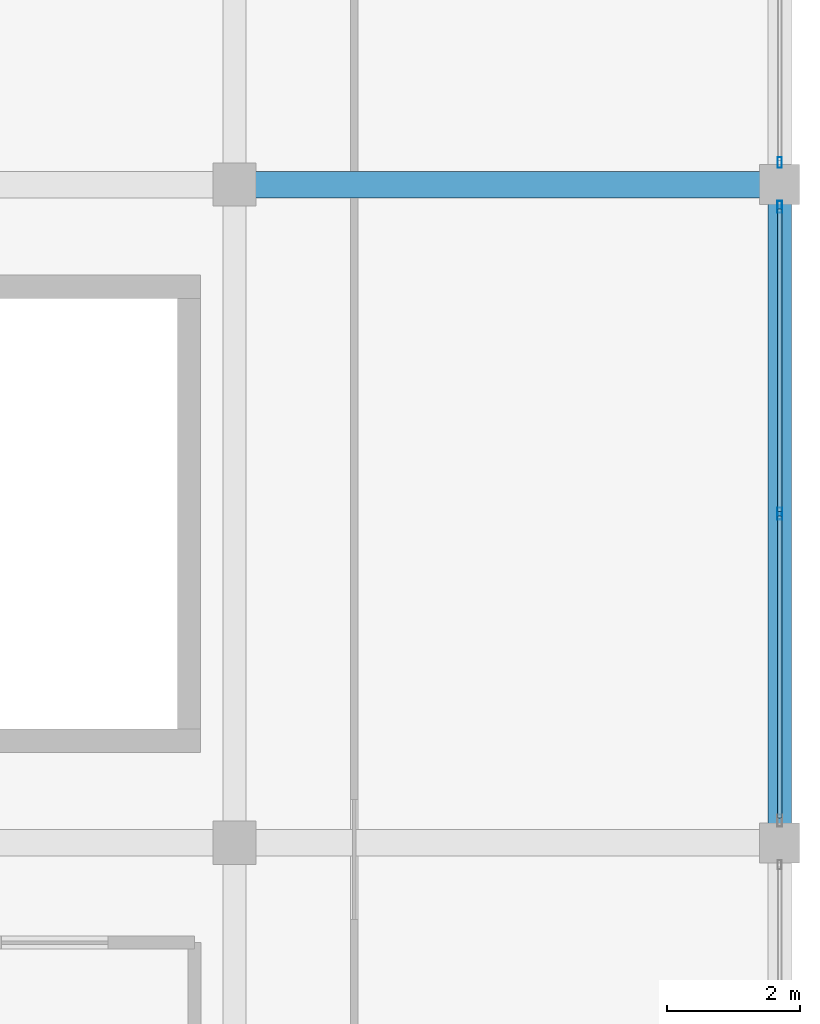
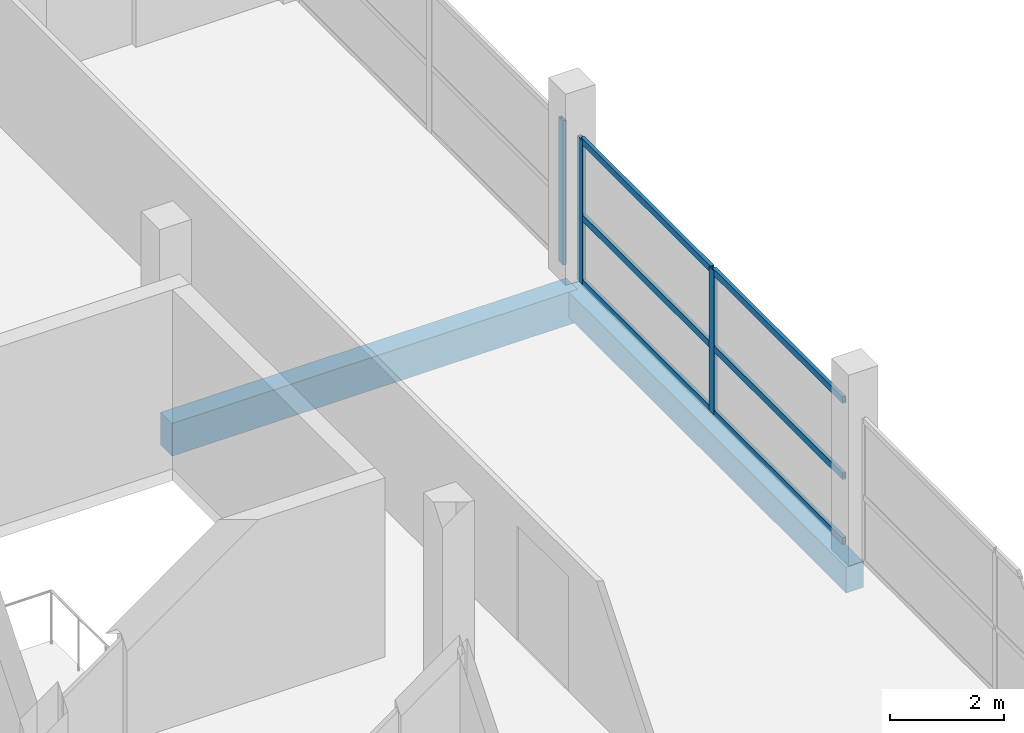
# One storey, part 32 of 53: 9 members, 2 beams, 2 elements without a shape of their own.
"""IFC4 building model written with IfcOpenShell, lengths in metres."""

from ifc_helpers import new_model, si_unit, direction, frame, origin, origin_2d, place, context, subcontext, project, spatial, rectangle, hollow_rectangle, extrude, material, layer, layer_set, material_profile, profile_set, type_object, element, aggregate, save


model = new_model("IFC4")

# Units and contexts
model_context = context("Model", 3, precision=1e-05, world=origin(), true_north=direction((0.0, 1.0)))
body_context = subcontext(model_context, "Body", "Model", "MODEL_VIEW")
ifc_project = project(units=[si_unit("LENGTHUNIT", "METRE"), si_unit("AREAUNIT", "SQUARE_METRE"), si_unit("VOLUMEUNIT", "CUBIC_METRE"), si_unit("PLANEANGLEUNIT", "RADIAN"), si_unit("MASSUNIT", "GRAM", prefix="KILO")], contexts=[model_context])

# Site, building, storey
site_placement = place(None, origin())
site = spatial("IfcSite", under=ifc_project, at=site_placement, CompositionType="ELEMENT")
building_placement = place(site_placement, origin())
building = spatial("IfcBuilding", under=site, at=building_placement, Name="Sillaruma Civic Art Gallery", CompositionType="ELEMENT")
storey_placement = place(building_placement, frame((0.0, 0.0, 70.3798828125)))
storey = spatial("IfcBuildingStorey", under=building, at=storey_placement, Name="L14", CompositionType="ELEMENT", Elevation=70.3798828125)

# Beams
ifc_material_1 = material(Name="Concrete H35 (35 MPa)", Category="concrete")
ifc_material_profile_1 = material_profile(ifc_material_1, rectangle(XDim=0.39990234375, YDim=0.699951171875, at=origin_2d()), Name="RCB400x700")
ifc_profile_set_1 = profile_set([ifc_material_profile_1], Name="Concrete H35 (35 MPa)")
beam_type_1 = type_object("IfcBeamType", Name="BM-BEAM-RCB400x700", PredefinedType="BEAM", material=ifc_profile_set_1)
beam_1_placement = place(storey_placement, frame((106.199951171875, 59.39990234375, -0.599853515625), z_axis=(1.0, 0.0, 0.0), x_axis=(0.0, 1.0, 0.0)))
element("IfcBeam", 1, at=beam_1_placement, inside=storey, type_object=beam_type_1, Name="Beam BM-04 (L13:7:M-N)", PredefinedType="BEAM", context=body_context, shape_type="SweptSolid", body=[
    extrude(rectangle(XDim=0.39990234375, YDim=0.699951171875, at=origin_2d()), origin(), (0.0, 0.0, 1.0), 8.199951171875),
])
ifc_material_profile_2 = material_profile(ifc_material_1, rectangle(XDim=0.35009765625, YDim=0.550048828125, at=origin_2d()), Name="RCB350x550")
ifc_profile_set_2 = profile_set([ifc_material_profile_2], Name="Concrete H35 (35 MPa)")
beam_type_2 = type_object("IfcBeamType", Name="BM-SPANDREL-RCB350x550", PredefinedType="SPANDREL", material=ifc_profile_set_2)
beam_2_placement = place(storey_placement, frame((114.39990234375, 49.5, -0.52490234375), z_axis=(0.0, 1.0, 0.0), x_axis=(-1.0, 0.0, 0.0)))
element("IfcBeam", 2, at=beam_2_placement, inside=storey, type_object=beam_type_2, Name="Beam BS-04 (L13:N:6-7)", PredefinedType="SPANDREL", context=body_context, shape_type="SweptSolid", body=[
    extrude(rectangle(XDim=0.35009765625, YDim=0.550048828125, at=origin_2d()), origin(), (0.0, 0.0, 1.0), 9.89990234375),
])

# Curtain wall, member
ifc_material_2 = material(Name="Thermally Broken Extruded Aluminium 6063-T6", Category="aluminium")
ifc_layer_1 = layer(ifc_material_2, 0.159912109375, Name="Thermally Broken Extruded Aluminium 6063-T6")
ifc_layer_set_1 = layer_set([ifc_layer_1], Name="Thermally Broken Extruded Aluminium 6063-T6")
curtain_wall_type_1 = type_object("IfcCurtainWallType", Name="CW-UNI-102", PredefinedType="NOTDEFINED", material=ifc_layer_set_1)
curtain_wall_1_placement = place(storey_placement, origin())
curtain_wall_1 = element("IfcCurtainWall", 3, at=curtain_wall_1_placement, inside=storey, type_object=curtain_wall_type_1, Name="Unitised Curtain Wall CW-102 (CW-L14-EHH-E3)", PredefinedType="NOTDEFINED")
ifc_material_profile_3 = material_profile(ifc_material_2, hollow_rectangle(XDim=0.06494140625, YDim=0.159912109375, WallThickness=0.00390625, at=origin_2d()), Name="CWM65x160")
ifc_profile_set_3 = profile_set([ifc_material_profile_3], Name="Thermally Broken Extruded Aluminium 6063-T6")
member_type_1 = type_object("IfcMemberType", Name="MEM-MUL-CWM65x160", PredefinedType="MULLION", material=ifc_profile_set_3)
member_1_placement = place(storey_placement, frame((114.39990234375, 59.732421875, 0.0), z_axis=(0.0, 0.0, 1.0), x_axis=(-1.0, 0.0, 0.0)))
member_1 = element("IfcMember", 4, at=member_1_placement, type_object=member_type_1, Name="CW-102 mullion 1", PredefinedType="MULLION", context=body_context, shape_type="SweptSolid", body=[
    extrude(hollow_rectangle(XDim=0.06494140625, YDim=0.159912109375, WallThickness=0.00390625, at=origin_2d()), origin(), (0.0, 0.0, 1.0), 3.080078125),
])
aggregate(curtain_wall_1, [member_1])

# Curtain wall, members
ifc_layer_2 = layer(ifc_material_2, 0.179931640625, Name="Thermally Broken Extruded Aluminium 6063-T6")
ifc_layer_set_2 = layer_set([ifc_layer_2], Name="Thermally Broken Extruded Aluminium 6063-T6")
curtain_wall_type_2 = type_object("IfcCurtainWallType", Name="CW-UNI-101", PredefinedType="NOTDEFINED", material=ifc_layer_set_2)
curtain_wall_2_placement = place(storey_placement, origin())
curtain_wall_2 = element("IfcCurtainWall", 5, at=curtain_wall_2_placement, inside=storey, type_object=curtain_wall_type_2, Name="Unitised Curtain Wall CW-101 (CW-L14-EHH-E2)", PredefinedType="NOTDEFINED")
ifc_material_profile_4 = material_profile(ifc_material_2, hollow_rectangle(XDim=0.070068359375, YDim=0.179931640625, WallThickness=0.00390625, at=origin_2d()), Name="CWM70x180")
ifc_profile_set_4 = profile_set([ifc_material_profile_4], Name="Thermally Broken Extruded Aluminium 6063-T6")
member_type_2 = type_object("IfcMemberType", Name="MEM-MUL-CWM70x180", PredefinedType="MULLION", material=ifc_profile_set_4)
member_2_placement = place(storey_placement, frame((114.39990234375, 54.449951171875, 0.0), z_axis=(0.0, 0.0, 1.0), x_axis=(-1.0, 0.0, 0.0)))
member_2 = element("IfcMember", 6, at=member_2_placement, type_object=member_type_2, Name="CW-101 mullion 2", PredefinedType="MULLION", context=body_context, shape_type="SweptSolid", body=[
    extrude(hollow_rectangle(XDim=0.070068359375, YDim=0.179931640625, WallThickness=0.00390625, at=origin_2d()), origin(), (0.0, 0.0, 1.0), 3.080078125),
])
member_3_placement = place(storey_placement, frame((114.39990234375, 59.06494140625, 0.0), z_axis=(0.0, 0.0, 1.0), x_axis=(-1.0, 0.0, 0.0)))
member_3 = element("IfcMember", 7, at=member_3_placement, type_object=member_type_2, Name="CW-101 mullion 3", PredefinedType="MULLION", context=body_context, shape_type="SweptSolid", body=[
    extrude(hollow_rectangle(XDim=0.070068359375, YDim=0.179931640625, WallThickness=0.00390625, at=origin_2d()), origin(), (0.0, 0.0, 1.0), 3.080078125),
])
ifc_material_profile_5 = material_profile(ifc_material_2, hollow_rectangle(XDim=0.070068359375, YDim=0.139892578125, WallThickness=0.00390625, at=origin_2d()), Name="CWT70x140")
ifc_profile_set_5 = profile_set([ifc_material_profile_5], Name="Thermally Broken Extruded Aluminium 6063-T6")
member_type_3 = type_object("IfcMemberType", Name="MEM-TRN-CWT70x140", PredefinedType="USERDEFINED", material=ifc_profile_set_5)
member_4_placement = place(storey_placement, frame((114.39990234375, 49.8701171875, 0.03515625), z_axis=(0.0, 1.0, 0.0), x_axis=(-1.0, 0.0, 0.0)))
member_4 = element("IfcMember", 8, at=member_4_placement, type_object=member_type_3, Name="CW-101 transom 1.1", ObjectType="TRANSOM", PredefinedType="USERDEFINED", context=body_context, shape_type="SweptSolid", body=[
    extrude(hollow_rectangle(XDim=0.070068359375, YDim=0.139892578125, WallThickness=0.00390625, at=origin_2d()), origin(), (0.0, 0.0, 1.0), 4.544921875),
])
member_5_placement = place(storey_placement, frame((114.39990234375, 49.8701171875, 1.4169921875), z_axis=(0.0, 1.0, 0.0), x_axis=(-1.0, 0.0, 0.0)))
member_5 = element("IfcMember", 9, at=member_5_placement, type_object=member_type_3, Name="CW-101 transom 1.2", ObjectType="TRANSOM", PredefinedType="USERDEFINED", context=body_context, shape_type="SweptSolid", body=[
    extrude(hollow_rectangle(XDim=0.070068359375, YDim=0.139892578125, WallThickness=0.00390625, at=origin_2d()), origin(), (0.0, 0.0, 1.0), 4.544921875),
])
member_6_placement = place(storey_placement, frame((114.39990234375, 49.8701171875, 3.045166015625), z_axis=(0.0, 1.0, 0.0), x_axis=(-1.0, 0.0, 0.0)))
member_6 = element("IfcMember", 10, at=member_6_placement, type_object=member_type_3, Name="CW-101 transom 1.3", ObjectType="TRANSOM", PredefinedType="USERDEFINED", context=body_context, shape_type="SweptSolid", body=[
    extrude(hollow_rectangle(XDim=0.070068359375, YDim=0.139892578125, WallThickness=0.00390625, at=origin_2d()), origin(), (0.0, 0.0, 1.0), 4.544921875),
])
member_7_placement = place(storey_placement, frame((114.39990234375, 54.485107421875, 0.03515625), z_axis=(0.0, 1.0, 0.0), x_axis=(-1.0, 0.0, 0.0)))
member_7 = element("IfcMember", 11, at=member_7_placement, type_object=member_type_3, Name="CW-101 transom 2.1", ObjectType="TRANSOM", PredefinedType="USERDEFINED", context=body_context, shape_type="SweptSolid", body=[
    extrude(hollow_rectangle(XDim=0.070068359375, YDim=0.139892578125, WallThickness=0.00390625, at=origin_2d()), origin(), (0.0, 0.0, 1.0), 4.544921875),
])
member_8_placement = place(storey_placement, frame((114.39990234375, 54.485107421875, 1.4169921875), z_axis=(0.0, 1.0, 0.0), x_axis=(-1.0, 0.0, 0.0)))
member_8 = element("IfcMember", 12, at=member_8_placement, type_object=member_type_3, Name="CW-101 transom 2.2", ObjectType="TRANSOM", PredefinedType="USERDEFINED", context=body_context, shape_type="SweptSolid", body=[
    extrude(hollow_rectangle(XDim=0.070068359375, YDim=0.139892578125, WallThickness=0.00390625, at=origin_2d()), origin(), (0.0, 0.0, 1.0), 4.544921875),
])
member_9_placement = place(storey_placement, frame((114.39990234375, 54.485107421875, 3.045166015625), z_axis=(0.0, 1.0, 0.0), x_axis=(-1.0, 0.0, 0.0)))
member_9 = element("IfcMember", 13, at=member_9_placement, type_object=member_type_3, Name="CW-101 transom 2.3", ObjectType="TRANSOM", PredefinedType="USERDEFINED", context=body_context, shape_type="SweptSolid", body=[
    extrude(hollow_rectangle(XDim=0.070068359375, YDim=0.139892578125, WallThickness=0.00390625, at=origin_2d()), origin(), (0.0, 0.0, 1.0), 4.544921875),
])
aggregate(curtain_wall_2, [member_2, member_3, member_4, member_5, member_6, member_7, member_8, member_9])

save(model, "model.ifc")
